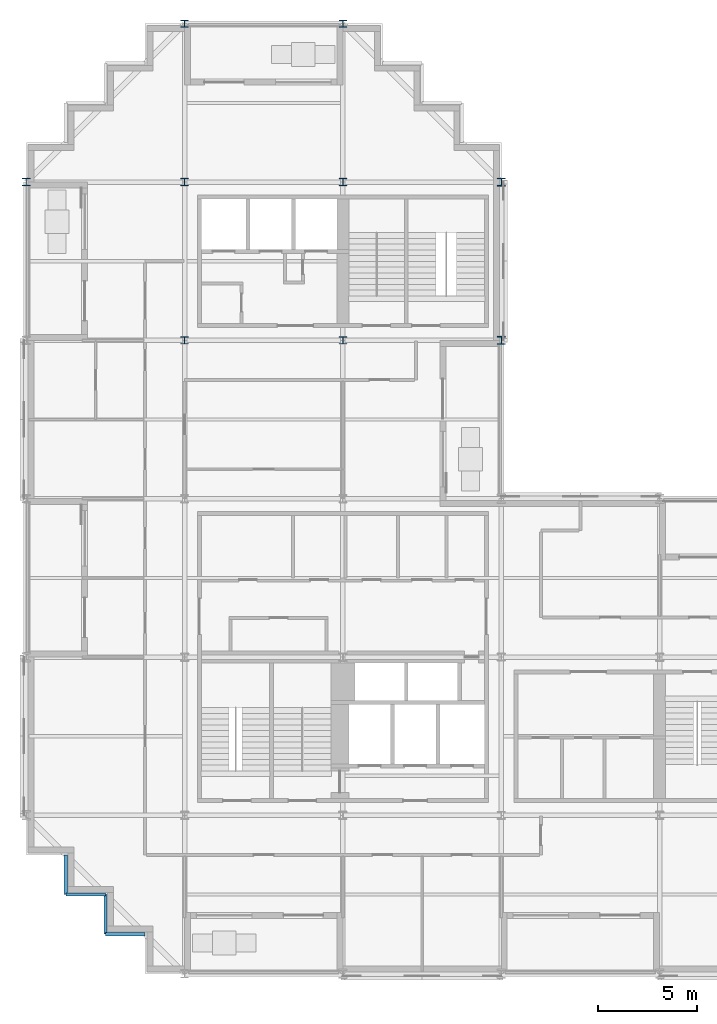
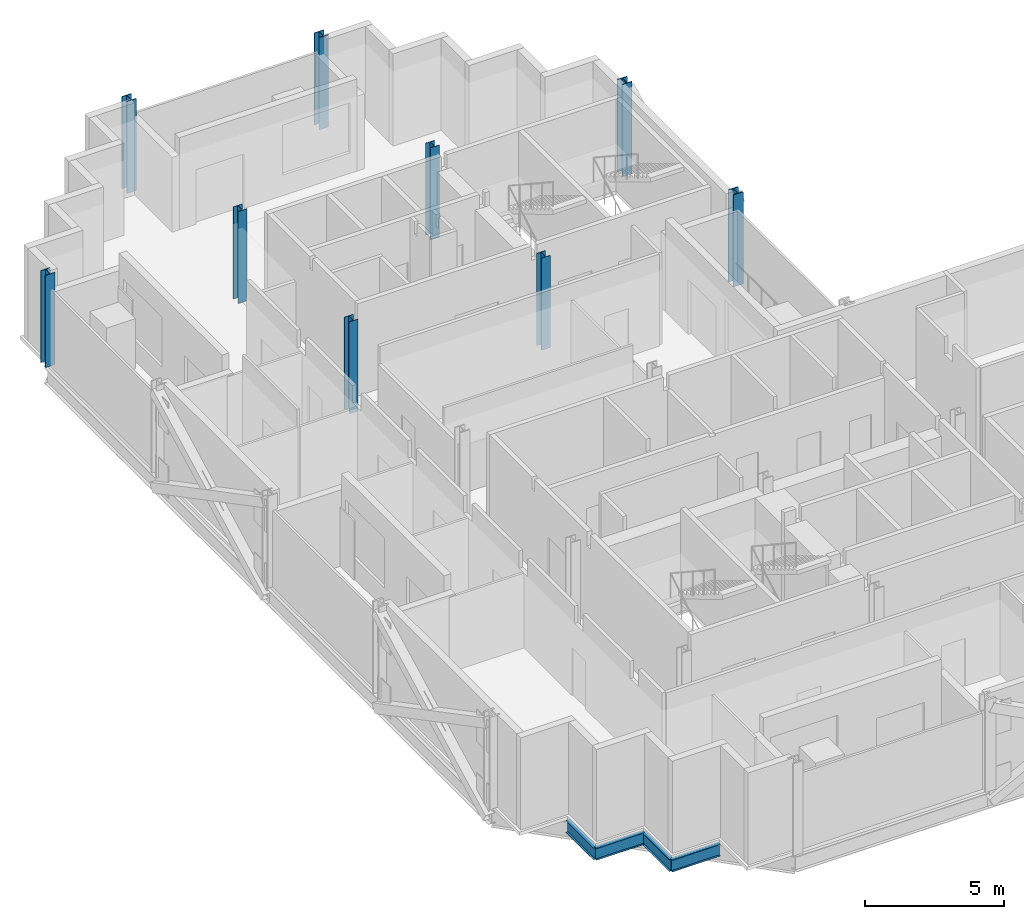
# One storey, part 2 of 12: 9 columns, 4 beams.
"""IFC4 building model written with IfcOpenShell, lengths in metres."""

from ifc_helpers import new_model, si_unit, direction, frame, origin, origin_2d, place, context, subcontext, project, spatial, i_section, extrude, material, material_profile, profile_set, type_object, element, save


model = new_model("IFC4")

# Units and contexts
model_context = context("Model", 3, precision=1e-05, world=origin(), true_north=direction((0.0, 1.0)))
body_context = subcontext(model_context, "Body", "Model", "MODEL_VIEW")
ifc_project = project(units=[si_unit("LENGTHUNIT", "METRE"), si_unit("AREAUNIT", "SQUARE_METRE"), si_unit("VOLUMEUNIT", "CUBIC_METRE"), si_unit("PLANEANGLEUNIT", "RADIAN"), si_unit("MASSUNIT", "GRAM", prefix="KILO")], contexts=[model_context])

# Site, building, storey
site_placement = place(None, origin())
site = spatial("IfcSite", under=ifc_project, at=site_placement, CompositionType="ELEMENT")
building_placement = place(site_placement, origin())
building = spatial("IfcBuilding", under=site, at=building_placement, Name="Immortelle Media Tower", CompositionType="ELEMENT")
storey_placement = place(building_placement, frame((0.0, 0.0, 145.199951171875)))
storey = spatial("IfcBuildingStorey", under=building, at=storey_placement, Name="L29", CompositionType="ELEMENT", Elevation=145.199951171875)

# Columns
ifc_material = material(Name="Steel ASTM A992 Gr 50", Category="steel")
ifc_material_profile_1 = material_profile(ifc_material, i_section(OverallWidth=0.39404296875, OverallDepth=0.3759765625, WebThickness=0.01708984375, FlangeThickness=0.028076171875, at=origin_2d()), Name="W14x145")
ifc_profile_set_1 = profile_set([ifc_material_profile_1], Name="Steel ASTM A992 Gr 50")
column_type_1 = type_object("IfcColumnType", Name="W14x145 column", PredefinedType="COLUMN", material=ifc_profile_set_1)
for number, where, z_axis, x_axis, name in (
    (1, (0.0, 40.0, 0.0), (0.0, 0.0, 1.0), (1.0, 0.0, 0.0), "Column 1/F"),
    (2, (8.0, 48.0, 0.0), (0.0, 0.0, 1.0), (1.0, 0.0, 0.0), "Column 2/G"),
    (3, (16.0, 48.0, 0.0), (0.0, 0.0, 1.0), (1.0, 0.0, 0.0), "Column 3/G"),
):
    element("IfcColumn", number, at=place(storey_placement, frame(where, z_axis=z_axis, x_axis=x_axis)), inside=storey, type_object=column_type_1, Name=name, PredefinedType="COLUMN", context=body_context, shape_type="SweptSolid", body=[
        extrude(i_section(OverallWidth=0.39404296875, OverallDepth=0.3759765625, WebThickness=0.01708984375, FlangeThickness=0.028076171875, at=origin_2d()), origin(), (0.0, 0.0, 1.0), 4.050048828125),
    ])
ifc_material_profile_2 = material_profile(ifc_material, i_section(OverallWidth=0.40087890625, OverallDepth=0.39892578125, WebThickness=0.02490234375, FlangeThickness=0.0400390625, at=origin_2d()), Name="W14x211")
ifc_profile_set_2 = profile_set([ifc_material_profile_2], Name="Steel ASTM A992 Gr 50")
column_type_2 = type_object("IfcColumnType", Name="W14x211 column", PredefinedType="COLUMN", material=ifc_profile_set_2)
for number, where, z_axis, x_axis, name in (
    (4, (24.0, 32.0, 0.0), (0.0, 0.0, 1.0), (1.0, 0.0, 0.0), "Column 4/E"),
    (5, (24.0, 40.0, 0.0), (0.0, 0.0, 1.0), (1.0, 0.0, 0.0), "Column 4/F"),
):
    element("IfcColumn", number, at=place(storey_placement, frame(where, z_axis=z_axis, x_axis=x_axis)), inside=storey, type_object=column_type_2, Name=name, PredefinedType="COLUMN", context=body_context, shape_type="SweptSolid", body=[
        extrude(i_section(OverallWidth=0.40087890625, OverallDepth=0.39892578125, WebThickness=0.02490234375, FlangeThickness=0.0400390625, at=origin_2d()), origin(), (0.0, 0.0, 1.0), 4.050048828125),
    ])
ifc_material_profile_3 = material_profile(ifc_material, i_section(OverallWidth=0.37109375, OverallDepth=0.361083984375, WebThickness=0.011962890625, FlangeThickness=0.02001953125, at=origin_2d()), Name="W14x99")
ifc_profile_set_3 = profile_set([ifc_material_profile_3], Name="Steel ASTM A992 Gr 50")
column_type_3 = type_object("IfcColumnType", Name="W14x99 column", PredefinedType="COLUMN", material=ifc_profile_set_3)
for number, where, z_axis, x_axis, name in (
    (6, (8.0, 32.0, 0.0), (0.0, 0.0, 1.0), (1.0, 0.0, 0.0), "Column 2/E"),
    (7, (8.0, 40.0, 0.0), (0.0, 0.0, 1.0), (1.0, 0.0, 0.0), "Column 2/F"),
    (8, (16.0, 32.0, 0.0), (0.0, 0.0, 1.0), (1.0, 0.0, 0.0), "Column 3/E"),
    (9, (16.0, 40.0, 0.0), (0.0, 0.0, 1.0), (1.0, 0.0, 0.0), "Column 3/F"),
):
    element("IfcColumn", number, at=place(storey_placement, frame(where, z_axis=z_axis, x_axis=x_axis)), inside=storey, type_object=column_type_3, Name=name, PredefinedType="COLUMN", context=body_context, shape_type="SweptSolid", body=[
        extrude(i_section(OverallWidth=0.37109375, OverallDepth=0.361083984375, WebThickness=0.011962890625, FlangeThickness=0.02001953125, at=origin_2d()), origin(), (0.0, 0.0, 1.0), 4.050048828125),
    ])

# Beams
ifc_material_profile_4 = material_profile(ifc_material, i_section(OverallWidth=0.1650390625, OverallDepth=0.52587890625, WebThickness=0.009033203125, FlangeThickness=0.010986328125, at=origin_2d()), Name="W21x44")
ifc_profile_set_4 = profile_set([ifc_material_profile_4], Name="Steel ASTM A992 Gr 50")
beam_type = type_object("IfcBeamType", Name="W21x44 serration edge beam", PredefinedType="SPANDREL", material=ifc_profile_set_4)
for number, where, z_axis, x_axis, name in (
    (10, (6.0, 2.0, -0.412841796875), (-1.0, 0.0, 0.0), (0.0, -1.0, 0.0), "Corner edge beam 1 at 1/A"),
    (11, (4.0, 2.0, -0.412841796875), (0.0, 1.0, 0.0), (-1.0, 0.0, 0.0), "Corner edge beam 2 at 1/A"),
    (12, (4.0, 4.0, -0.412841796875), (-1.0, 0.0, 0.0), (0.0, -1.0, 0.0), "Corner edge beam 3 at 1/A"),
    (13, (2.0, 4.0, -0.412841796875), (0.0, 1.0, 0.0), (-1.0, 0.0, 0.0), "Corner edge beam 4 at 1/A"),
):
    element("IfcBeam", number, at=place(storey_placement, frame(where, z_axis=z_axis, x_axis=x_axis)), inside=storey, type_object=beam_type, Name=name, PredefinedType="SPANDREL", context=body_context, shape_type="SweptSolid", body=[
        extrude(i_section(OverallWidth=0.1650390625, OverallDepth=0.52587890625, WebThickness=0.009033203125, FlangeThickness=0.010986328125, at=origin_2d()), origin(), (0.0, 0.0, 1.0), 2.0),
    ])

save(model, "model.ifc")
